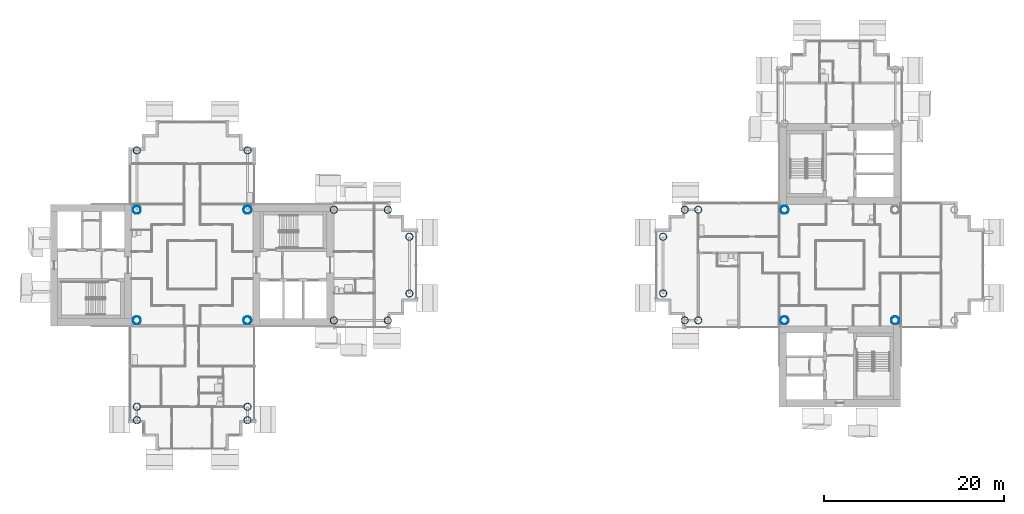
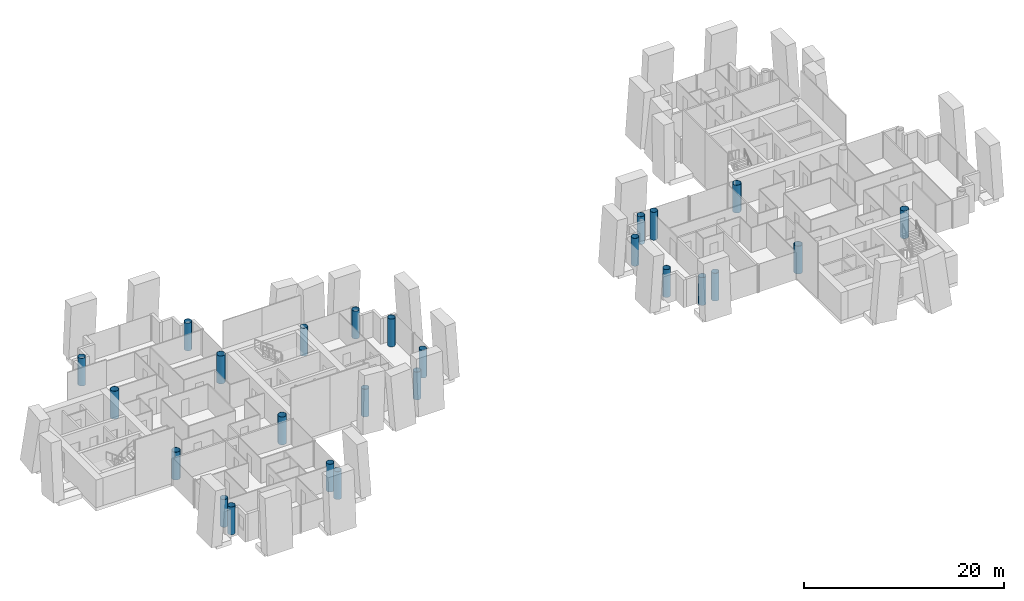
# One storey, part 1 of 19: 25 columns.
"""IFC4 building model written with IfcOpenShell, lengths in metres."""

from ifc_helpers import new_model, si_unit, direction, frame, origin, origin_2d, place, context, subcontext, project, spatial, hollow_circle, extrude, material, material_profile, profile_set, type_object, element, save


model = new_model("IFC4")

# Units and contexts
model_context = context("Model", 3, precision=1e-05, world=origin(), true_north=direction((0.0, 1.0)))
body_context = subcontext(model_context, "Body", "Model", "MODEL_VIEW")
ifc_project = project(units=[si_unit("LENGTHUNIT", "METRE"), si_unit("AREAUNIT", "SQUARE_METRE"), si_unit("VOLUMEUNIT", "CUBIC_METRE"), si_unit("PLANEANGLEUNIT", "RADIAN"), si_unit("MASSUNIT", "GRAM", prefix="KILO")], contexts=[model_context])

# Site, building, storey
site_placement = place(None, origin())
site = spatial("IfcSite", under=ifc_project, at=site_placement, CompositionType="ELEMENT")
building_placement = place(site_placement, origin())
building = spatial("IfcBuilding", under=site, at=building_placement, Name="Ipe Terrace Towers", CompositionType="ELEMENT")
storey_placement = place(building_placement, frame((0.0, 0.0, 137.10009765625)))
storey = spatial("IfcBuildingStorey", under=building, at=storey_placement, Name="L37", CompositionType="ELEMENT", Elevation=137.10009765625)

# Columns
ifc_material_1 = material(Name="Steel S355 tube with Concrete C60/75 fill", Category="concrete")
ifc_material_profile_1 = material_profile(ifc_material_1, hollow_circle(Radius=0.39990234375, WallThickness=0.028076171875, at=origin_2d()), Name="CHS-800x28")
ifc_profile_set_1 = profile_set([ifc_material_profile_1], Name="Steel S355 tube with Concrete C60/75 fill")
column_type_1 = type_object("IfcColumnType", Name="CH09 COLUMN CHS-800x28", PredefinedType="COLUMN", material=ifc_profile_set_1)
for number, where, z_axis, x_axis, name in (
    (1, (-20.25, -6.14990234375, 0.0), (0.0, 0.0, 1.0), (1.0, 0.0, 0.0), "Column T1-C-A01"),
    (2, (-20.25, 6.14990234375, 0.0), (0.0, 0.0, 1.0), (1.0, 0.0, 0.0), "Column T1-C-A02"),
    (3, (-14.25, -6.14990234375, 0.0), (0.0, 0.0, 1.0), (1.0, 0.0, 0.0), "Column T1-C-A03"),
    (4, (-14.25, 6.14990234375, 0.0), (0.0, 0.0, 1.0), (1.0, 0.0, 0.0), "Column T1-C-A04"),
    (5, (-11.85009765625, -3.14990234375, 0.0), (0.0, 0.0, 1.0), (1.0, 0.0, 0.0), "Column T1-C-A05"),
    (6, (-11.85009765625, 3.14990234375, 0.0), (0.0, 0.0, 1.0), (1.0, 0.0, 0.0), "Column T1-C-A06"),
    (7, (-29.85009765625, 12.75, 0.0), (0.0, 0.0, 1.0), (1.0, 0.0, 0.0), "Column T1-C-B01"),
    (8, (-42.14990234375, 12.75, 0.0), (0.0, 0.0, 1.0), (1.0, 0.0, 0.0), "Column T1-C-B02"),
    (9, (-42.14990234375, -15.75, 0.0), (0.0, 0.0, 1.0), (1.0, 0.0, 0.0), "Column T1-C-D03"),
    (10, (-29.85009765625, -15.75, 0.0), (0.0, 0.0, 1.0), (1.0, 0.0, 0.0), "Column T1-C-D04"),
    (11, (-42.14990234375, -17.25, 0.0), (0.0, 0.0, 1.0), (1.0, 0.0, 0.0), "Column T1-C-D05"),
    (12, (-29.85009765625, -17.25, 0.0), (0.0, 0.0, 1.0), (1.0, 0.0, 0.0), "Column T1-C-D06"),
    (13, (20.25, 6.14990234375, 0.0), (0.0, 0.0, 1.0), (1.0, 0.0, 0.0), "Column T2-C-B03"),
    (14, (20.25, -6.14990234375, 0.0), (0.0, 0.0, 1.0), (1.0, 0.0, 0.0), "Column T2-C-B04"),
    (15, (18.75, 6.14990234375, 0.0), (0.0, 0.0, 1.0), (1.0, 0.0, 0.0), "Column T2-C-B05"),
    (16, (18.75, -6.14990234375, 0.0), (0.0, 0.0, 1.0), (1.0, 0.0, 0.0), "Column T2-C-B06"),
    (17, (16.35009765625, 3.14990234375, 0.0), (0.0, 0.0, 1.0), (1.0, 0.0, 0.0), "Column T2-C-B07"),
    (18, (16.35009765625, -3.14990234375, 0.0), (0.0, 0.0, 1.0), (1.0, 0.0, 0.0), "Column T2-C-B08"),
):
    element("IfcColumn", number, at=place(storey_placement, frame(where, z_axis=z_axis, x_axis=x_axis)), inside=storey, type_object=column_type_1, Name=name, PredefinedType="COLUMN", context=body_context, shape_type="SweptSolid", body=[
        extrude(hollow_circle(Radius=0.39990234375, WallThickness=0.028076171875, at=origin_2d()), origin(), (0.0, 0.0, 1.0), 3.39990234375),
    ])
ifc_material_2 = material(Name="Steel S355 tube with Concrete C60/75 fill", Category="concrete")
ifc_material_profile_2 = material_profile(ifc_material_2, hollow_circle(Radius=0.449951171875, WallThickness=0.031982421875, at=origin_2d()), Name="CHS-900x32")
ifc_profile_set_2 = profile_set([ifc_material_profile_2], Name="Steel S355 tube with Concrete C60/75 fill")
column_type_2 = type_object("IfcColumnType", Name="CH10 COLUMN CHS-900x32", PredefinedType="COLUMN", material=ifc_profile_set_2)
for number, where, z_axis, x_axis, name in (
    (19, (-42.14990234375, -6.14990234375, 0.0), (0.0, 0.0, 1.0), (1.0, 0.0, 0.0), "Column T1-C-E01"),
    (20, (-29.85009765625, -6.14990234375, 0.0), (0.0, 0.0, 1.0), (1.0, 0.0, 0.0), "Column T1-C-E02"),
    (21, (-29.85009765625, 6.14990234375, 0.0), (0.0, 0.0, 1.0), (1.0, 0.0, 0.0), "Column T1-C-E03"),
    (22, (-42.14990234375, 6.14990234375, 0.0), (0.0, 0.0, 1.0), (1.0, 0.0, 0.0), "Column T1-C-E04"),
    (23, (42.14990234375, -6.14990234375, 0.0), (0.0, 0.0, 1.0), (1.0, 0.0, 0.0), "Column T2-C-E01"),
    (24, (29.85009765625, 6.14990234375, 0.0), (0.0, 0.0, 1.0), (1.0, 0.0, 0.0), "Column T2-C-E03"),
    (25, (29.85009765625, -6.14990234375, 0.0), (0.0, 0.0, 1.0), (1.0, 0.0, 0.0), "Column T2-C-E04"),
):
    element("IfcColumn", number, at=place(storey_placement, frame(where, z_axis=z_axis, x_axis=x_axis)), inside=storey, type_object=column_type_2, Name=name, PredefinedType="COLUMN", context=body_context, shape_type="SweptSolid", body=[
        extrude(hollow_circle(Radius=0.449951171875, WallThickness=0.031982421875, at=origin_2d()), origin(), (0.0, 0.0, 1.0), 3.39990234375),
    ])

save(model, "model.ifc")
